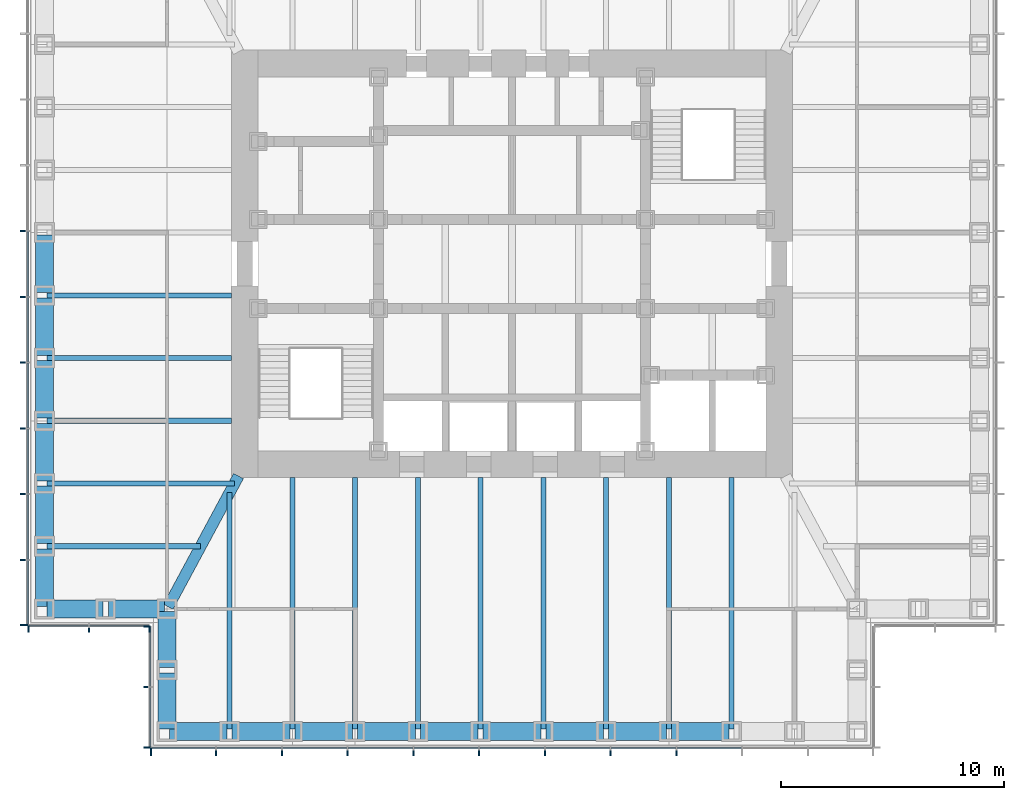
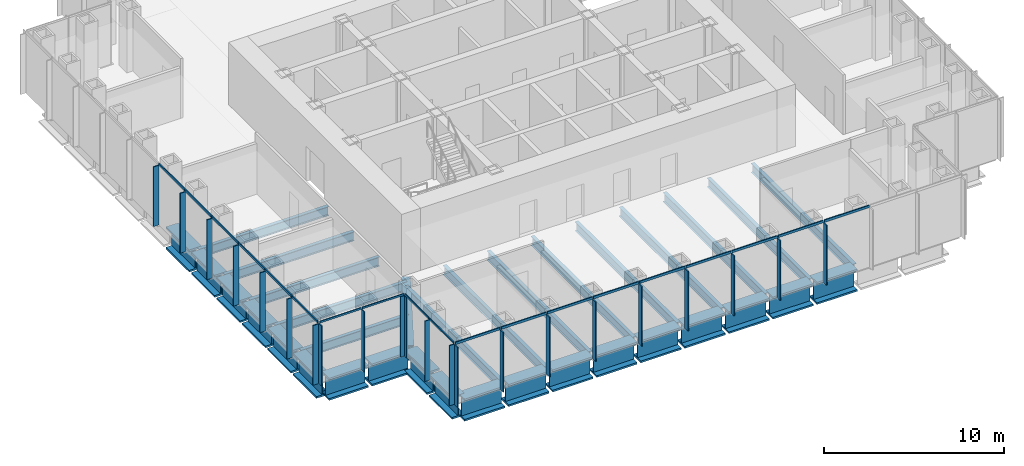
# One storey, part 2 of 16: 41 members, 34 beams, 4 elements without a shape of their own.
"""IFC4 building model written with IfcOpenShell, lengths in metres."""

from ifc_helpers import new_model, si_unit, direction, frame, origin, origin_2d, place, context, subcontext, project, spatial, rectangle, i_section, extrude, material, material_profile, profile_set, type_object, element, aggregate, save


model = new_model("IFC4")

# Units and contexts
model_context = context("Model", 3, precision=1e-05, world=origin(), true_north=direction((0.0, 1.0)))
body_context = subcontext(model_context, "Body", "Model", "MODEL_VIEW")
ifc_project = project(units=[si_unit("LENGTHUNIT", "METRE"), si_unit("AREAUNIT", "SQUARE_METRE"), si_unit("VOLUMEUNIT", "CUBIC_METRE"), si_unit("PLANEANGLEUNIT", "RADIAN"), si_unit("MASSUNIT", "GRAM", prefix="KILO")], contexts=[model_context])

# Site, building, storey
site_placement = place(None, origin())
site = spatial("IfcSite", under=ifc_project, at=site_placement, CompositionType="ELEMENT")
building_placement = place(site_placement, origin())
building = spatial("IfcBuilding", under=site, at=building_placement, Name="Daluyong Arena Tower", CompositionType="ELEMENT")
storey_placement = place(building_placement, frame((0.0, 0.0, 202.300048828125)))
storey = spatial("IfcBuildingStorey", under=building, at=storey_placement, Name="L45", CompositionType="ELEMENT", Elevation=202.300048828125)

# Curtain wall, members
ifc_material_1 = material(Name="Bronze anodised aluminium and glass", Category="aluminium")
curtain_wall_type_1 = type_object("IfcCurtainWallType", Name="Curtain wall CW3", PredefinedType="USERDEFINED", material=ifc_material_1)
curtain_wall_1_placement = place(storey_placement, origin())
curtain_wall_1 = element("IfcCurtainWall", 1, at=curtain_wall_1_placement, inside=storey, type_object=curtain_wall_type_1, Name="curtain wall L45 S", ObjectType="UNITISED CURTAIN WALL", PredefinedType="USERDEFINED")
ifc_material_2 = material(Name="Bronze anodised aluminium fin", Category="aluminium")
ifc_material_profile_1 = material_profile(ifc_material_2, rectangle(XDim=0.35009765625, YDim=0.070068359375, at=origin_2d()))
ifc_profile_set_1 = profile_set([ifc_material_profile_1], Name="Bronze anodised aluminium fin")
member_type_1 = type_object("IfcMemberType", Name="CW3 bronze fin 350x70", PredefinedType="MULLION", material=ifc_profile_set_1)
member_1_placement = place(storey_placement, frame((39.784912109375, 58.074951171875, 0.0), z_axis=(0.0, 0.0, 1.0), x_axis=(0.0, 1.0, 0.0)))
member_1 = element("IfcMember", 2, at=member_1_placement, type_object=member_type_1, Name="curtain wall L45 S fin 1", PredefinedType="MULLION", context=body_context, shape_type="SweptSolid", body=[
    extrude(rectangle(XDim=0.35009765625, YDim=0.070068359375, at=origin_2d()), origin(), (0.0, 0.0, 1.0), 4.0400390625),
])
member_2_placement = place(storey_placement, frame((42.70458984375, 58.074951171875, 0.0), z_axis=(0.0, 0.0, 1.0), x_axis=(0.0, 1.0, 0.0)))
member_2 = element("IfcMember", 3, at=member_2_placement, type_object=member_type_1, Name="curtain wall L45 S fin 2", PredefinedType="MULLION", context=body_context, shape_type="SweptSolid", body=[
    extrude(rectangle(XDim=0.35009765625, YDim=0.070068359375, at=origin_2d()), origin(), (0.0, 0.0, 1.0), 4.0400390625),
])
member_3_placement = place(storey_placement, frame((45.6591796875, 58.074951171875, 0.0), z_axis=(0.0, 0.0, 1.0), x_axis=(0.0, 1.0, 0.0)))
member_3 = element("IfcMember", 4, at=member_3_placement, type_object=member_type_1, Name="curtain wall L45 S fin 3", PredefinedType="MULLION", context=body_context, shape_type="SweptSolid", body=[
    extrude(rectangle(XDim=0.35009765625, YDim=0.070068359375, at=origin_2d()), origin(), (0.0, 0.0, 1.0), 4.0400390625),
])
member_4_placement = place(storey_placement, frame((48.613525390625, 58.074951171875, 0.0), z_axis=(0.0, 0.0, 1.0), x_axis=(0.0, 1.0, 0.0)))
member_4 = element("IfcMember", 5, at=member_4_placement, type_object=member_type_1, Name="curtain wall L45 S fin 4", PredefinedType="MULLION", context=body_context, shape_type="SweptSolid", body=[
    extrude(rectangle(XDim=0.35009765625, YDim=0.070068359375, at=origin_2d()), origin(), (0.0, 0.0, 1.0), 4.0400390625),
])
member_5_placement = place(storey_placement, frame((51.568115234375, 58.074951171875, 0.0), z_axis=(0.0, 0.0, 1.0), x_axis=(0.0, 1.0, 0.0)))
member_5 = element("IfcMember", 6, at=member_5_placement, type_object=member_type_1, Name="curtain wall L45 S fin 5", PredefinedType="MULLION", context=body_context, shape_type="SweptSolid", body=[
    extrude(rectangle(XDim=0.35009765625, YDim=0.070068359375, at=origin_2d()), origin(), (0.0, 0.0, 1.0), 4.0400390625),
])
member_6_placement = place(storey_placement, frame((54.522705078125, 58.074951171875, 0.0), z_axis=(0.0, 0.0, 1.0), x_axis=(0.0, 1.0, 0.0)))
member_6 = element("IfcMember", 7, at=member_6_placement, type_object=member_type_1, Name="curtain wall L45 S fin 6", PredefinedType="MULLION", context=body_context, shape_type="SweptSolid", body=[
    extrude(rectangle(XDim=0.35009765625, YDim=0.070068359375, at=origin_2d()), origin(), (0.0, 0.0, 1.0), 4.0400390625),
])
member_7_placement = place(storey_placement, frame((57.477294921875, 58.074951171875, 0.0), z_axis=(0.0, 0.0, 1.0), x_axis=(0.0, 1.0, 0.0)))
member_7 = element("IfcMember", 8, at=member_7_placement, type_object=member_type_1, Name="curtain wall L45 S fin 7", PredefinedType="MULLION", context=body_context, shape_type="SweptSolid", body=[
    extrude(rectangle(XDim=0.35009765625, YDim=0.070068359375, at=origin_2d()), origin(), (0.0, 0.0, 1.0), 4.0400390625),
])
member_8_placement = place(storey_placement, frame((60.431884765625, 58.074951171875, 0.0), z_axis=(0.0, 0.0, 1.0), x_axis=(0.0, 1.0, 0.0)))
member_8 = element("IfcMember", 9, at=member_8_placement, type_object=member_type_1, Name="curtain wall L45 S fin 8", PredefinedType="MULLION", context=body_context, shape_type="SweptSolid", body=[
    extrude(rectangle(XDim=0.35009765625, YDim=0.070068359375, at=origin_2d()), origin(), (0.0, 0.0, 1.0), 4.0400390625),
])
member_9_placement = place(storey_placement, frame((63.386474609375, 58.074951171875, 0.0), z_axis=(0.0, 0.0, 1.0), x_axis=(0.0, 1.0, 0.0)))
member_9 = element("IfcMember", 10, at=member_9_placement, type_object=member_type_1, Name="curtain wall L45 S fin 9", PredefinedType="MULLION", context=body_context, shape_type="SweptSolid", body=[
    extrude(rectangle(XDim=0.35009765625, YDim=0.070068359375, at=origin_2d()), origin(), (0.0, 0.0, 1.0), 4.0400390625),
])

curtain_wall_2_placement = place(storey_placement, origin())
curtain_wall_2 = element("IfcCurtainWall", 11, at=curtain_wall_2_placement, inside=storey, type_object=curtain_wall_type_1, Name="curtain wall L45 W", ObjectType="UNITISED CURTAIN WALL", PredefinedType="USERDEFINED")
member_10_placement = place(storey_placement, frame((34.074951171875, 81.477294921875, 0.0), z_axis=(0.0, 0.0, 1.0), x_axis=(1.0, 0.0, 0.0)))
member_10 = element("IfcMember", 12, at=member_10_placement, type_object=member_type_1, Name="curtain wall L45 W fin 6", PredefinedType="MULLION", context=body_context, shape_type="SweptSolid", body=[
    extrude(rectangle(XDim=0.35009765625, YDim=0.070068359375, at=origin_2d()), origin(), (0.0, 0.0, 1.0), 4.0400390625),
])
member_11_placement = place(storey_placement, frame((34.074951171875, 78.522705078125, 0.0), z_axis=(0.0, 0.0, 1.0), x_axis=(1.0, 0.0, 0.0)))
member_11 = element("IfcMember", 13, at=member_11_placement, type_object=member_type_1, Name="curtain wall L45 W fin 7", PredefinedType="MULLION", context=body_context, shape_type="SweptSolid", body=[
    extrude(rectangle(XDim=0.35009765625, YDim=0.070068359375, at=origin_2d()), origin(), (0.0, 0.0, 1.0), 4.0400390625),
])
member_12_placement = place(storey_placement, frame((34.074951171875, 75.568115234375, 0.0), z_axis=(0.0, 0.0, 1.0), x_axis=(1.0, 0.0, 0.0)))
member_12 = element("IfcMember", 14, at=member_12_placement, type_object=member_type_1, Name="curtain wall L45 W fin 8", PredefinedType="MULLION", context=body_context, shape_type="SweptSolid", body=[
    extrude(rectangle(XDim=0.35009765625, YDim=0.070068359375, at=origin_2d()), origin(), (0.0, 0.0, 1.0), 4.0400390625),
])
member_13_placement = place(storey_placement, frame((34.074951171875, 72.613525390625, 0.0), z_axis=(0.0, 0.0, 1.0), x_axis=(1.0, 0.0, 0.0)))
member_13 = element("IfcMember", 15, at=member_13_placement, type_object=member_type_1, Name="curtain wall L45 W fin 9", PredefinedType="MULLION", context=body_context, shape_type="SweptSolid", body=[
    extrude(rectangle(XDim=0.35009765625, YDim=0.070068359375, at=origin_2d()), origin(), (0.0, 0.0, 1.0), 4.0400390625),
])
member_14_placement = place(storey_placement, frame((34.074951171875, 69.6591796875, 0.0), z_axis=(0.0, 0.0, 1.0), x_axis=(1.0, 0.0, 0.0)))
member_14 = element("IfcMember", 16, at=member_14_placement, type_object=member_type_1, Name="curtain wall L45 W fin 10", PredefinedType="MULLION", context=body_context, shape_type="SweptSolid", body=[
    extrude(rectangle(XDim=0.35009765625, YDim=0.070068359375, at=origin_2d()), origin(), (0.0, 0.0, 1.0), 4.0400390625),
])
member_15_placement = place(storey_placement, frame((34.074951171875, 66.70458984375, 0.0), z_axis=(0.0, 0.0, 1.0), x_axis=(1.0, 0.0, 0.0)))
member_15 = element("IfcMember", 17, at=member_15_placement, type_object=member_type_1, Name="curtain wall L45 W fin 11", PredefinedType="MULLION", context=body_context, shape_type="SweptSolid", body=[
    extrude(rectangle(XDim=0.35009765625, YDim=0.070068359375, at=origin_2d()), origin(), (0.0, 0.0, 1.0), 4.0400390625),
])
member_16_placement = place(storey_placement, frame((34.074951171875, 63.784912109375, 0.0), z_axis=(0.0, 0.0, 1.0), x_axis=(1.0, 0.0, 0.0)))
member_16 = element("IfcMember", 18, at=member_16_placement, type_object=member_type_1, Name="curtain wall L45 W fin 12", PredefinedType="MULLION", context=body_context, shape_type="SweptSolid", body=[
    extrude(rectangle(XDim=0.35009765625, YDim=0.070068359375, at=origin_2d()), origin(), (0.0, 0.0, 1.0), 4.0400390625),
])

# Member
ifc_material_3 = material(Name="Bronze anodised aluminium", Category="aluminium")
ifc_material_profile_2 = material_profile(ifc_material_3, rectangle(XDim=0.070068359375, YDim=0.159912109375, at=origin_2d()))
ifc_profile_set_2 = profile_set([ifc_material_profile_2], Name="Bronze anodised aluminium")
member_type_2 = type_object("IfcMemberType", Name="CW3 stack transom 160x70", PredefinedType="USERDEFINED", material=ifc_profile_set_2)
member_17_placement = place(storey_placement, frame((39.820068359375, 58.25, 4.119873046875), z_axis=(1.0, 0.0, 0.0), x_axis=(0.0, 1.0, 0.0)))
member_17 = element("IfcMember", 19, at=member_17_placement, type_object=member_type_2, Name="curtain wall L45 S transom 1", ObjectType="TRANSOM", PredefinedType="USERDEFINED", context=body_context, shape_type="SweptSolid", body=[
    extrude(rectangle(XDim=0.070068359375, YDim=0.159912109375, at=origin_2d()), origin(), (0.0, 0.0, 1.0), 2.849365234375),
])

member_18_placement = place(storey_placement, frame((42.739501953125, 58.25, 4.119873046875), z_axis=(1.0, 0.0, 0.0), x_axis=(0.0, 1.0, 0.0)))
member_18 = element("IfcMember", 20, at=member_18_placement, type_object=member_type_2, Name="curtain wall L45 S transom 2", ObjectType="TRANSOM", PredefinedType="USERDEFINED", context=body_context, shape_type="SweptSolid", body=[
    extrude(rectangle(XDim=0.070068359375, YDim=0.159912109375, at=origin_2d()), origin(), (0.0, 0.0, 1.0), 2.884521484375),
])

member_19_placement = place(storey_placement, frame((45.694091796875, 58.25, 4.119873046875), z_axis=(1.0, 0.0, 0.0), x_axis=(0.0, 1.0, 0.0)))
member_19 = element("IfcMember", 21, at=member_19_placement, type_object=member_type_2, Name="curtain wall L45 S transom 3", ObjectType="TRANSOM", PredefinedType="USERDEFINED", context=body_context, shape_type="SweptSolid", body=[
    extrude(rectangle(XDim=0.070068359375, YDim=0.159912109375, at=origin_2d()), origin(), (0.0, 0.0, 1.0), 2.884521484375),
])

member_20_placement = place(storey_placement, frame((48.648681640625, 58.25, 4.119873046875), z_axis=(1.0, 0.0, 0.0), x_axis=(0.0, 1.0, 0.0)))
member_20 = element("IfcMember", 22, at=member_20_placement, type_object=member_type_2, Name="curtain wall L45 S transom 4", ObjectType="TRANSOM", PredefinedType="USERDEFINED", context=body_context, shape_type="SweptSolid", body=[
    extrude(rectangle(XDim=0.070068359375, YDim=0.159912109375, at=origin_2d()), origin(), (0.0, 0.0, 1.0), 2.884521484375),
])

member_21_placement = place(storey_placement, frame((51.603271484375, 58.25, 4.119873046875), z_axis=(1.0, 0.0, 0.0), x_axis=(0.0, 1.0, 0.0)))
member_21 = element("IfcMember", 23, at=member_21_placement, type_object=member_type_2, Name="curtain wall L45 S transom 5", ObjectType="TRANSOM", PredefinedType="USERDEFINED", context=body_context, shape_type="SweptSolid", body=[
    extrude(rectangle(XDim=0.070068359375, YDim=0.159912109375, at=origin_2d()), origin(), (0.0, 0.0, 1.0), 2.884521484375),
])

member_22_placement = place(storey_placement, frame((54.5576171875, 58.25, 4.119873046875), z_axis=(1.0, 0.0, 0.0), x_axis=(0.0, 1.0, 0.0)))
member_22 = element("IfcMember", 24, at=member_22_placement, type_object=member_type_2, Name="curtain wall L45 S transom 6", ObjectType="TRANSOM", PredefinedType="USERDEFINED", context=body_context, shape_type="SweptSolid", body=[
    extrude(rectangle(XDim=0.070068359375, YDim=0.159912109375, at=origin_2d()), origin(), (0.0, 0.0, 1.0), 2.884765625),
])

member_23_placement = place(storey_placement, frame((57.51220703125, 58.25, 4.119873046875), z_axis=(1.0, 0.0, 0.0), x_axis=(0.0, 1.0, 0.0)))
member_23 = element("IfcMember", 25, at=member_23_placement, type_object=member_type_2, Name="curtain wall L45 S transom 7", ObjectType="TRANSOM", PredefinedType="USERDEFINED", context=body_context, shape_type="SweptSolid", body=[
    extrude(rectangle(XDim=0.070068359375, YDim=0.159912109375, at=origin_2d()), origin(), (0.0, 0.0, 1.0), 2.884521484375),
])

member_24_placement = place(storey_placement, frame((60.466796875, 58.25, 4.119873046875), z_axis=(1.0, 0.0, 0.0), x_axis=(0.0, 1.0, 0.0)))
member_24 = element("IfcMember", 26, at=member_24_placement, type_object=member_type_2, Name="curtain wall L45 S transom 8", ObjectType="TRANSOM", PredefinedType="USERDEFINED", context=body_context, shape_type="SweptSolid", body=[
    extrude(rectangle(XDim=0.070068359375, YDim=0.159912109375, at=origin_2d()), origin(), (0.0, 0.0, 1.0), 2.884521484375),
])

member_25_placement = place(storey_placement, frame((63.42138671875, 58.25, 4.119873046875), z_axis=(1.0, 0.0, 0.0), x_axis=(0.0, 1.0, 0.0)))
member_25 = element("IfcMember", 27, at=member_25_placement, type_object=member_type_2, Name="curtain wall L45 S transom 9", ObjectType="TRANSOM", PredefinedType="USERDEFINED", context=body_context, shape_type="SweptSolid", body=[
    extrude(rectangle(XDim=0.070068359375, YDim=0.159912109375, at=origin_2d()), origin(), (0.0, 0.0, 1.0), 2.884521484375),
])

aggregate(curtain_wall_1, [member_1, member_2, member_3, member_4, member_5, member_6, member_7, member_8, member_9, member_17, member_18, member_19, member_20, member_21, member_22, member_23, member_24, member_25])

member_26_placement = place(storey_placement, frame((34.25, 81.4423828125, 4.119873046875), z_axis=(0.0, -1.0, 0.0), x_axis=(1.0, 0.0, 0.0)))
member_26 = element("IfcMember", 28, at=member_26_placement, type_object=member_type_2, Name="curtain wall L45 W transom 6", ObjectType="TRANSOM", PredefinedType="USERDEFINED", context=body_context, shape_type="SweptSolid", body=[
    extrude(rectangle(XDim=0.070068359375, YDim=0.159912109375, at=origin_2d()), origin(), (0.0, 0.0, 1.0), 2.884765625),
])

member_27_placement = place(storey_placement, frame((34.25, 78.48779296875, 4.119873046875), z_axis=(0.0, -1.0, 0.0), x_axis=(1.0, 0.0, 0.0)))
member_27 = element("IfcMember", 29, at=member_27_placement, type_object=member_type_2, Name="curtain wall L45 W transom 7", ObjectType="TRANSOM", PredefinedType="USERDEFINED", context=body_context, shape_type="SweptSolid", body=[
    extrude(rectangle(XDim=0.070068359375, YDim=0.159912109375, at=origin_2d()), origin(), (0.0, 0.0, 1.0), 2.884521484375),
])

member_28_placement = place(storey_placement, frame((34.25, 75.533203125, 4.119873046875), z_axis=(0.0, -1.0, 0.0), x_axis=(1.0, 0.0, 0.0)))
member_28 = element("IfcMember", 30, at=member_28_placement, type_object=member_type_2, Name="curtain wall L45 W transom 8", ObjectType="TRANSOM", PredefinedType="USERDEFINED", context=body_context, shape_type="SweptSolid", body=[
    extrude(rectangle(XDim=0.070068359375, YDim=0.159912109375, at=origin_2d()), origin(), (0.0, 0.0, 1.0), 2.884521484375),
])

member_29_placement = place(storey_placement, frame((34.25, 72.57861328125, 4.119873046875), z_axis=(0.0, -1.0, 0.0), x_axis=(1.0, 0.0, 0.0)))
member_29 = element("IfcMember", 31, at=member_29_placement, type_object=member_type_2, Name="curtain wall L45 W transom 9", ObjectType="TRANSOM", PredefinedType="USERDEFINED", context=body_context, shape_type="SweptSolid", body=[
    extrude(rectangle(XDim=0.070068359375, YDim=0.159912109375, at=origin_2d()), origin(), (0.0, 0.0, 1.0), 2.884521484375),
])

member_30_placement = place(storey_placement, frame((34.25, 69.6240234375, 4.119873046875), z_axis=(0.0, -1.0, 0.0), x_axis=(1.0, 0.0, 0.0)))
member_30 = element("IfcMember", 32, at=member_30_placement, type_object=member_type_2, Name="curtain wall L45 W transom 10", ObjectType="TRANSOM", PredefinedType="USERDEFINED", context=body_context, shape_type="SweptSolid", body=[
    extrude(rectangle(XDim=0.070068359375, YDim=0.159912109375, at=origin_2d()), origin(), (0.0, 0.0, 1.0), 2.884521484375),
])

member_31_placement = place(storey_placement, frame((34.25, 66.66943359375, 4.119873046875), z_axis=(0.0, -1.0, 0.0), x_axis=(1.0, 0.0, 0.0)))
member_31 = element("IfcMember", 33, at=member_31_placement, type_object=member_type_2, Name="curtain wall L45 W transom 11", ObjectType="TRANSOM", PredefinedType="USERDEFINED", context=body_context, shape_type="SweptSolid", body=[
    extrude(rectangle(XDim=0.070068359375, YDim=0.159912109375, at=origin_2d()), origin(), (0.0, 0.0, 1.0), 2.849365234375),
])

aggregate(curtain_wall_2, [member_10, member_11, member_12, member_13, member_14, member_15, member_16, member_26, member_27, member_28, member_29, member_30, member_31])

# Curtain wall, members
ifc_material_4 = material(Name="Bronze anodised aluminium and glass", Category="aluminium")
curtain_wall_type_2 = type_object("IfcCurtainWallType", Name="Curtain wall CW7", PredefinedType="USERDEFINED", material=ifc_material_4)
curtain_wall_3_placement = place(storey_placement, origin())
curtain_wall_3 = element("IfcCurtainWall", 34, at=curtain_wall_3_placement, inside=storey, type_object=curtain_wall_type_2, Name="curtain wall L45 SW-S", ObjectType="UNITISED CURTAIN WALL", PredefinedType="USERDEFINED")
ifc_material_5 = material(Name="Bronze anodised aluminium fin", Category="aluminium")
ifc_material_profile_3 = material_profile(ifc_material_5, rectangle(XDim=0.300048828125, YDim=0.06005859375, at=origin_2d()))
ifc_profile_set_3 = profile_set([ifc_material_profile_3], Name="Bronze anodised aluminium fin")
member_type_3 = type_object("IfcMemberType", Name="CW7 bronze fin 300x60", PredefinedType="MULLION", material=ifc_profile_set_3)
member_32_placement = place(storey_placement, frame((34.280029296875, 63.60009765625, 0.0), z_axis=(0.0, 0.0, 1.0), x_axis=(0.0, 1.0, 0.0)))
member_32 = element("IfcMember", 35, at=member_32_placement, type_object=member_type_3, Name="curtain wall L45 SW-S fin 1", PredefinedType="MULLION", context=body_context, shape_type="SweptSolid", body=[
    extrude(rectangle(XDim=0.300048828125, YDim=0.06005859375, at=origin_2d()), origin(), (0.0, 0.0, 1.0), 4.079833984375),
])
member_33_placement = place(storey_placement, frame((37.0, 63.60009765625, 0.0), z_axis=(0.0, 0.0, 1.0), x_axis=(0.0, 1.0, 0.0)))
member_33 = element("IfcMember", 36, at=member_33_placement, type_object=member_type_3, Name="curtain wall L45 SW-S fin 2", PredefinedType="MULLION", context=body_context, shape_type="SweptSolid", body=[
    extrude(rectangle(XDim=0.300048828125, YDim=0.06005859375, at=origin_2d()), origin(), (0.0, 0.0, 1.0), 4.079833984375),
])
member_34_placement = place(storey_placement, frame((39.719970703125, 63.60009765625, 0.0), z_axis=(0.0, 0.0, 1.0), x_axis=(0.0, 1.0, 0.0)))
member_34 = element("IfcMember", 37, at=member_34_placement, type_object=member_type_3, Name="curtain wall L45 SW-S fin 3", PredefinedType="MULLION", context=body_context, shape_type="SweptSolid", body=[
    extrude(rectangle(XDim=0.300048828125, YDim=0.06005859375, at=origin_2d()), origin(), (0.0, 0.0, 1.0), 4.079833984375),
])

curtain_wall_4_placement = place(storey_placement, origin())
curtain_wall_4 = element("IfcCurtainWall", 38, at=curtain_wall_4_placement, inside=storey, type_object=curtain_wall_type_2, Name="curtain wall L45 SW-W", ObjectType="UNITISED CURTAIN WALL", PredefinedType="USERDEFINED")
member_35_placement = place(storey_placement, frame((39.60009765625, 63.719970703125, 0.0), z_axis=(0.0, 0.0, 1.0), x_axis=(1.0, 0.0, 0.0)))
member_35 = element("IfcMember", 39, at=member_35_placement, type_object=member_type_3, Name="curtain wall L45 SW-W fin 1", PredefinedType="MULLION", context=body_context, shape_type="SweptSolid", body=[
    extrude(rectangle(XDim=0.300048828125, YDim=0.06005859375, at=origin_2d()), origin(), (0.0, 0.0, 1.0), 4.079833984375),
])
member_36_placement = place(storey_placement, frame((39.60009765625, 61.0, 0.0), z_axis=(0.0, 0.0, 1.0), x_axis=(1.0, 0.0, 0.0)))
member_36 = element("IfcMember", 40, at=member_36_placement, type_object=member_type_3, Name="curtain wall L45 SW-W fin 2", PredefinedType="MULLION", context=body_context, shape_type="SweptSolid", body=[
    extrude(rectangle(XDim=0.300048828125, YDim=0.06005859375, at=origin_2d()), origin(), (0.0, 0.0, 1.0), 4.079833984375),
])
member_37_placement = place(storey_placement, frame((39.60009765625, 58.280029296875, 0.0), z_axis=(0.0, 0.0, 1.0), x_axis=(1.0, 0.0, 0.0)))
member_37 = element("IfcMember", 41, at=member_37_placement, type_object=member_type_3, Name="curtain wall L45 SW-W fin 3", PredefinedType="MULLION", context=body_context, shape_type="SweptSolid", body=[
    extrude(rectangle(XDim=0.300048828125, YDim=0.06005859375, at=origin_2d()), origin(), (0.0, 0.0, 1.0), 4.079833984375),
])

# Member
ifc_material_6 = material(Name="Bronze anodised aluminium", Category="aluminium")
ifc_material_profile_4 = material_profile(ifc_material_6, rectangle(XDim=0.06005859375, YDim=0.1201171875, at=origin_2d()))
ifc_profile_set_4 = profile_set([ifc_material_profile_4], Name="Bronze anodised aluminium")
member_type_4 = type_object("IfcMemberType", Name="CW7 stack transom 120x60", PredefinedType="USERDEFINED", material=ifc_profile_set_4)
member_38_placement = place(storey_placement, frame((34.31005859375, 63.75, 4.139892578125), z_axis=(1.0, 0.0, 0.0), x_axis=(0.0, 1.0, 0.0)))
member_38 = element("IfcMember", 42, at=member_38_placement, type_object=member_type_4, Name="curtain wall L45 SW-S transom 1", ObjectType="TRANSOM", PredefinedType="USERDEFINED", context=body_context, shape_type="SweptSolid", body=[
    extrude(rectangle(XDim=0.06005859375, YDim=0.1201171875, at=origin_2d()), origin(), (0.0, 0.0, 1.0), 2.659912109375),
])

member_39_placement = place(storey_placement, frame((37.030029296875, 63.75, 4.139892578125), z_axis=(1.0, 0.0, 0.0), x_axis=(0.0, 1.0, 0.0)))
member_39 = element("IfcMember", 43, at=member_39_placement, type_object=member_type_4, Name="curtain wall L45 SW-S transom 2", ObjectType="TRANSOM", PredefinedType="USERDEFINED", context=body_context, shape_type="SweptSolid", body=[
    extrude(rectangle(XDim=0.06005859375, YDim=0.1201171875, at=origin_2d()), origin(), (0.0, 0.0, 1.0), 2.659912109375),
])

aggregate(curtain_wall_3, [member_32, member_33, member_34, member_38, member_39])

member_40_placement = place(storey_placement, frame((39.75, 63.68994140625, 4.139892578125), z_axis=(0.0, -1.0, 0.0), x_axis=(1.0, 0.0, 0.0)))
member_40 = element("IfcMember", 44, at=member_40_placement, type_object=member_type_4, Name="curtain wall L45 SW-W transom 1", ObjectType="TRANSOM", PredefinedType="USERDEFINED", context=body_context, shape_type="SweptSolid", body=[
    extrude(rectangle(XDim=0.06005859375, YDim=0.1201171875, at=origin_2d()), origin(), (0.0, 0.0, 1.0), 2.659912109375),
])

member_41_placement = place(storey_placement, frame((39.75, 60.969970703125, 4.139892578125), z_axis=(0.0, -1.0, 0.0), x_axis=(1.0, 0.0, 0.0)))
member_41 = element("IfcMember", 45, at=member_41_placement, type_object=member_type_4, Name="curtain wall L45 SW-W transom 2", ObjectType="TRANSOM", PredefinedType="USERDEFINED", context=body_context, shape_type="SweptSolid", body=[
    extrude(rectangle(XDim=0.06005859375, YDim=0.1201171875, at=origin_2d()), origin(), (0.0, 0.0, 1.0), 2.659912109375),
])

aggregate(curtain_wall_4, [member_35, member_36, member_37, member_40, member_41])

# Beams
ifc_material_7 = material(Name="Steel ASTM A572 Grade 50", Category="steel")
ifc_material_profile_5 = material_profile(ifc_material_7, i_section(OverallWidth=0.5, OverallDepth=1.0, WebThickness=0.03, FlangeThickness=0.06, at=origin_2d()))
ifc_profile_set_5 = profile_set([ifc_material_profile_5], Name="Steel ASTM A572 Grade 50")
beam_type_1 = type_object("IfcBeamType", Name="Corner girder TB1000X500", PredefinedType="BEAM", material=ifc_profile_set_5)
beam_1_placement = place(storey_placement, frame((40.554443359375, 64.601318359375, -0.66015625), z_axis=(0.474119475266, 0.880460517669, 0.0), x_axis=(-0.880460517669, 0.474119475266, 0.0)))
element("IfcBeam", 46, at=beam_1_placement, inside=storey, type_object=beam_type_1, Name="corner girder DG2", PredefinedType="BEAM", context=body_context, shape_type="SweptSolid", body=[
    extrude(i_section(OverallWidth=0.5, OverallDepth=1.0, WebThickness=0.03, FlangeThickness=0.06, at=origin_2d()), origin(), (0.0, 0.0, 1.0), 6.66748046875),
])
ifc_material_8 = material(Name="Steel ASTM A992 Grade 50", Category="steel")
ifc_material_profile_6 = material_profile(ifc_material_8, i_section(OverallWidth=0.22900390625, OverallDepth=0.612060546875, WebThickness=0.011962890625, FlangeThickness=0.01953125, at=origin_2d()))
ifc_profile_set_6 = profile_set([ifc_material_profile_6], Name="Steel ASTM A992 Grade 50")
beam_type_2 = type_object("IfcBeamType", Name="Floor beam W24X84", PredefinedType="BEAM", material=ifc_profile_set_6)
beam_2_placement = place(storey_placement, frame((43.318115234375, 59.114990234375, -0.466064453125), z_axis=(0.0, 1.0, 0.0), x_axis=(-1.0, 0.0, 0.0)))
element("IfcBeam", 47, at=beam_2_placement, inside=storey, type_object=beam_type_2, Name="floor beam FB3", PredefinedType="BEAM", context=body_context, shape_type="SweptSolid", body=[
    extrude(i_section(OverallWidth=0.22900390625, OverallDepth=0.612060546875, WebThickness=0.011962890625, FlangeThickness=0.01953125, at=origin_2d()), origin(), (0.0, 0.0, 1.0), 10.618896484375),
])
for number, where, z_axis, x_axis, name in (
    (48, (46.136474609375, 59.114990234375, -0.466064453125), (0.0, 1.0, 0.0), (-1.0, 0.0, 0.0), "floor beam FB3"),
    (49, (48.95458984375, 59.114990234375, -0.466064453125), (0.0, 1.0, 0.0), (-1.0, 0.0, 0.0), "floor beam FB3"),
    (50, (51.772705078125, 59.114990234375, -0.466064453125), (0.0, 1.0, 0.0), (-1.0, 0.0, 0.0), "floor beam FB3"),
    (51, (54.5908203125, 59.114990234375, -0.466064453125), (0.0, 1.0, 0.0), (-1.0, 0.0, 0.0), "floor beam FB3"),
    (52, (57.4091796875, 59.114990234375, -0.466064453125), (0.0, 1.0, 0.0), (-1.0, 0.0, 0.0), "floor beam FB3"),
    (53, (60.227294921875, 59.114990234375, -0.466064453125), (0.0, 1.0, 0.0), (-1.0, 0.0, 0.0), "floor beam FB3"),
    (54, (63.04541015625, 59.114990234375, -0.466064453125), (0.0, 1.0, 0.0), (-1.0, 0.0, 0.0), "floor beam FB3"),
    (55, (65.863525390625, 59.114990234375, -0.466064453125), (0.0, 1.0, 0.0), (-1.0, 0.0, 0.0), "floor beam FB3"),
):
    element("IfcBeam", number, at=place(storey_placement, frame(where, z_axis=z_axis, x_axis=x_axis)), inside=storey, type_object=beam_type_2, Name=name, PredefinedType="BEAM", context=body_context, shape_type="SweptSolid", body=[
        extrude(i_section(OverallWidth=0.22900390625, OverallDepth=0.612060546875, WebThickness=0.011962890625, FlangeThickness=0.01953125, at=origin_2d()), origin(), (0.0, 0.0, 1.0), 11.284912109375),
    ])
for number, where, z_axis, x_axis, name in (
    (56, (35.114990234375, 78.5908203125, -0.466064453125), (1.0, 0.0, 0.0), (0.0, 1.0, 0.0), "floor beam FB3"),
    (57, (35.114990234375, 75.772705078125, -0.466064453125), (1.0, 0.0, 0.0), (0.0, 1.0, 0.0), "floor beam FB3"),
    (58, (35.114990234375, 72.95458984375, -0.466064453125), (1.0, 0.0, 0.0), (0.0, 1.0, 0.0), "floor beam FB3"),
):
    element("IfcBeam", number, at=place(storey_placement, frame(where, z_axis=z_axis, x_axis=x_axis)), inside=storey, type_object=beam_type_2, Name=name, PredefinedType="BEAM", context=body_context, shape_type="SweptSolid", body=[
        extrude(i_section(OverallWidth=0.22900390625, OverallDepth=0.612060546875, WebThickness=0.011962890625, FlangeThickness=0.01953125, at=origin_2d()), origin(), (0.0, 0.0, 1.0), 8.284912109375),
    ])
beam_3_placement = place(storey_placement, frame((35.114990234375, 70.136474609375, -0.466064453125), z_axis=(1.0, 0.0, 0.0), x_axis=(0.0, 1.0, 0.0)))
element("IfcBeam", 59, at=beam_3_placement, inside=storey, type_object=beam_type_2, Name="floor beam FB3", PredefinedType="BEAM", context=body_context, shape_type="SweptSolid", body=[
    extrude(i_section(OverallWidth=0.22900390625, OverallDepth=0.612060546875, WebThickness=0.011962890625, FlangeThickness=0.01953125, at=origin_2d()), origin(), (0.0, 0.0, 1.0), 8.419921875),
])
beam_4_placement = place(storey_placement, frame((35.114990234375, 67.318115234375, -0.466064453125), z_axis=(1.0, 0.0, 0.0), x_axis=(0.0, 1.0, 0.0)))
element("IfcBeam", 60, at=beam_4_placement, inside=storey, type_object=beam_type_2, Name="floor beam FB3", PredefinedType="BEAM", context=body_context, shape_type="SweptSolid", body=[
    extrude(i_section(OverallWidth=0.22900390625, OverallDepth=0.612060546875, WebThickness=0.011962890625, FlangeThickness=0.01953125, at=origin_2d()), origin(), (0.0, 0.0, 1.0), 6.902587890625),
])
ifc_material_9 = material(Name="Steel ASTM A588 Grade 50", Category="steel")
ifc_material_profile_7 = material_profile(ifc_material_9, i_section(OverallWidth=0.800048828125, OverallDepth=1.5, WebThickness=0.05, FlangeThickness=0.12, at=origin_2d()))
ifc_profile_set_7 = profile_set([ifc_material_profile_7], Name="Steel ASTM A588 Grade 50")
beam_type_3 = type_object("IfcBeamType", Name="Spandrel Z3 PG1500X800", PredefinedType="SPANDREL", material=ifc_profile_set_7)
beam_5_placement = place(storey_placement, frame((40.614990234375, 59.0, -0.91015625), z_axis=(1.0, 0.0, 0.0), x_axis=(0.0, 1.0, 0.0)))
element("IfcBeam", 61, at=beam_5_placement, inside=storey, type_object=beam_type_3, Name="spandrel z3 SB7", PredefinedType="SPANDREL", context=body_context, shape_type="SweptSolid", body=[
    extrude(i_section(OverallWidth=0.800048828125, OverallDepth=1.5, WebThickness=0.05, FlangeThickness=0.12, at=origin_2d()), origin(), (0.0, 0.0, 1.0), 2.588134765625),
])
beam_6_placement = place(storey_placement, frame((43.43310546875, 59.0, -0.91015625), z_axis=(1.0, 0.0, 0.0), x_axis=(0.0, 1.0, 0.0)))
element("IfcBeam", 62, at=beam_6_placement, inside=storey, type_object=beam_type_3, Name="spandrel z3 SB7", PredefinedType="SPANDREL", context=body_context, shape_type="SweptSolid", body=[
    extrude(i_section(OverallWidth=0.800048828125, OverallDepth=1.5, WebThickness=0.05, FlangeThickness=0.12, at=origin_2d()), origin(), (0.0, 0.0, 1.0), 2.58837890625),
])
for number, where, z_axis, x_axis, name in (
    (63, (46.25146484375, 59.0, -0.91015625), (1.0, 0.0, 0.0), (0.0, 1.0, 0.0), "spandrel z3 SB7"),
    (64, (49.069580078125, 59.0, -0.91015625), (1.0, 0.0, 0.0), (0.0, 1.0, 0.0), "spandrel z3 SB7"),
    (65, (51.8876953125, 59.0, -0.91015625), (1.0, 0.0, 0.0), (0.0, 1.0, 0.0), "spandrel z3 SB7"),
):
    element("IfcBeam", number, at=place(storey_placement, frame(where, z_axis=z_axis, x_axis=x_axis)), inside=storey, type_object=beam_type_3, Name=name, PredefinedType="SPANDREL", context=body_context, shape_type="SweptSolid", body=[
        extrude(i_section(OverallWidth=0.800048828125, OverallDepth=1.5, WebThickness=0.05, FlangeThickness=0.12, at=origin_2d()), origin(), (0.0, 0.0, 1.0), 2.588134765625),
    ])
beam_7_placement = place(storey_placement, frame((54.705810546875, 59.0, -0.91015625), z_axis=(1.0, 0.0, 0.0), x_axis=(0.0, 1.0, 0.0)))
element("IfcBeam", 66, at=beam_7_placement, inside=storey, type_object=beam_type_3, Name="spandrel z3 SB7", PredefinedType="SPANDREL", context=body_context, shape_type="SweptSolid", body=[
    extrude(i_section(OverallWidth=0.800048828125, OverallDepth=1.5, WebThickness=0.05, FlangeThickness=0.12, at=origin_2d()), origin(), (0.0, 0.0, 1.0), 2.58837890625),
])
for number, where, z_axis, x_axis, name in (
    (67, (57.524169921875, 59.0, -0.91015625), (1.0, 0.0, 0.0), (0.0, 1.0, 0.0), "spandrel z3 SB7"),
    (68, (60.34228515625, 59.0, -0.91015625), (1.0, 0.0, 0.0), (0.0, 1.0, 0.0), "spandrel z3 SB7"),
    (69, (63.160400390625, 59.0, -0.91015625), (1.0, 0.0, 0.0), (0.0, 1.0, 0.0), "spandrel z3 SB7"),
):
    element("IfcBeam", number, at=place(storey_placement, frame(where, z_axis=z_axis, x_axis=x_axis)), inside=storey, type_object=beam_type_3, Name=name, PredefinedType="SPANDREL", context=body_context, shape_type="SweptSolid", body=[
        extrude(i_section(OverallWidth=0.800048828125, OverallDepth=1.5, WebThickness=0.05, FlangeThickness=0.12, at=origin_2d()), origin(), (0.0, 0.0, 1.0), 2.588134765625),
    ])
beam_8_placement = place(storey_placement, frame((35.0, 81.294189453125, -0.91015625), z_axis=(0.0, -1.0, 0.0), x_axis=(1.0, 0.0, 0.0)))
element("IfcBeam", 70, at=beam_8_placement, inside=storey, type_object=beam_type_3, Name="spandrel z3 SB7", PredefinedType="SPANDREL", context=body_context, shape_type="SweptSolid", body=[
    extrude(i_section(OverallWidth=0.800048828125, OverallDepth=1.5, WebThickness=0.05, FlangeThickness=0.12, at=origin_2d()), origin(), (0.0, 0.0, 1.0), 2.58837890625),
])
for number, where, z_axis, x_axis, name in (
    (71, (35.0, 78.475830078125, -0.91015625), (0.0, -1.0, 0.0), (1.0, 0.0, 0.0), "spandrel z3 SB7"),
    (72, (35.0, 75.65771484375, -0.91015625), (0.0, -1.0, 0.0), (1.0, 0.0, 0.0), "spandrel z3 SB7"),
    (73, (35.0, 72.839599609375, -0.91015625), (0.0, -1.0, 0.0), (1.0, 0.0, 0.0), "spandrel z3 SB7"),
):
    element("IfcBeam", number, at=place(storey_placement, frame(where, z_axis=z_axis, x_axis=x_axis)), inside=storey, type_object=beam_type_3, Name=name, PredefinedType="SPANDREL", context=body_context, shape_type="SweptSolid", body=[
        extrude(i_section(OverallWidth=0.800048828125, OverallDepth=1.5, WebThickness=0.05, FlangeThickness=0.12, at=origin_2d()), origin(), (0.0, 0.0, 1.0), 2.588134765625),
    ])
beam_9_placement = place(storey_placement, frame((35.0, 70.021484375, -0.91015625), z_axis=(0.0, -1.0, 0.0), x_axis=(1.0, 0.0, 0.0)))
element("IfcBeam", 74, at=beam_9_placement, inside=storey, type_object=beam_type_3, Name="spandrel z3 SB7", PredefinedType="SPANDREL", context=body_context, shape_type="SweptSolid", body=[
    extrude(i_section(OverallWidth=0.800048828125, OverallDepth=1.5, WebThickness=0.05, FlangeThickness=0.12, at=origin_2d()), origin(), (0.0, 0.0, 1.0), 2.58837890625),
])
beam_10_placement = place(storey_placement, frame((35.0, 67.203125, -0.91015625), z_axis=(0.0, -1.0, 0.0), x_axis=(1.0, 0.0, 0.0)))
element("IfcBeam", 75, at=beam_10_placement, inside=storey, type_object=beam_type_3, Name="spandrel z3 SB7", PredefinedType="SPANDREL", context=body_context, shape_type="SweptSolid", body=[
    extrude(i_section(OverallWidth=0.800048828125, OverallDepth=1.5, WebThickness=0.05, FlangeThickness=0.12, at=origin_2d()), origin(), (0.0, 0.0, 1.0), 2.588134765625),
])
for number, where, z_axis, x_axis, name in (
    (76, (35.114990234375, 64.5, -0.91015625), (1.0, 0.0, 0.0), (0.0, 1.0, 0.0), "spandrel z3 SB7"),
    (77, (37.864990234375, 64.5, -0.91015625), (1.0, 0.0, 0.0), (0.0, 1.0, 0.0), "spandrel z3 SB7"),
    (78, (40.5, 64.385009765625, -0.91015625), (0.0, -1.0, 0.0), (1.0, 0.0, 0.0), "spandrel z3 SB7"),
    (79, (40.5, 61.635009765625, -0.91015625), (0.0, -1.0, 0.0), (1.0, 0.0, 0.0), "spandrel z3 SB7"),
):
    element("IfcBeam", number, at=place(storey_placement, frame(where, z_axis=z_axis, x_axis=x_axis)), inside=storey, type_object=beam_type_3, Name=name, PredefinedType="SPANDREL", context=body_context, shape_type="SweptSolid", body=[
        extrude(i_section(OverallWidth=0.800048828125, OverallDepth=1.5, WebThickness=0.05, FlangeThickness=0.12, at=origin_2d()), origin(), (0.0, 0.0, 1.0), 2.52001953125),
    ])

save(model, "model.ifc")
